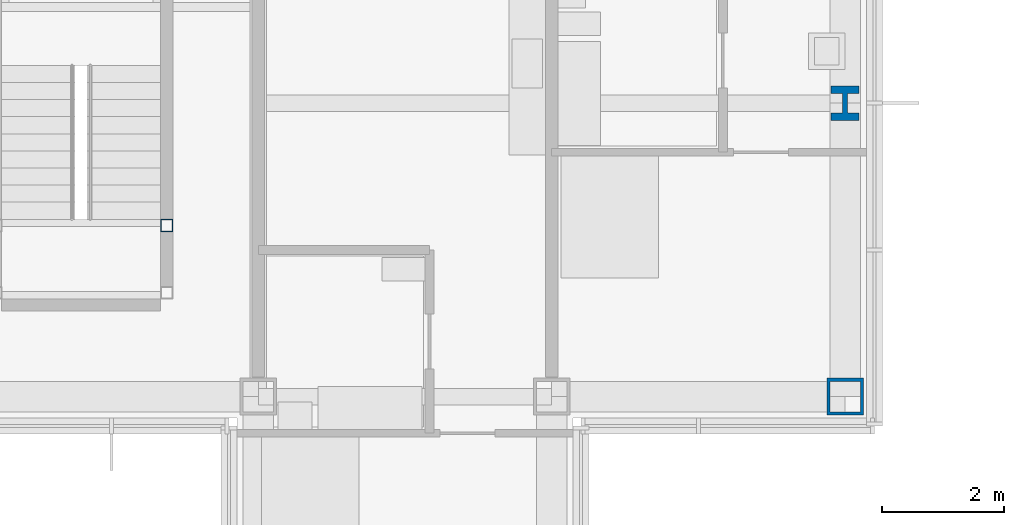
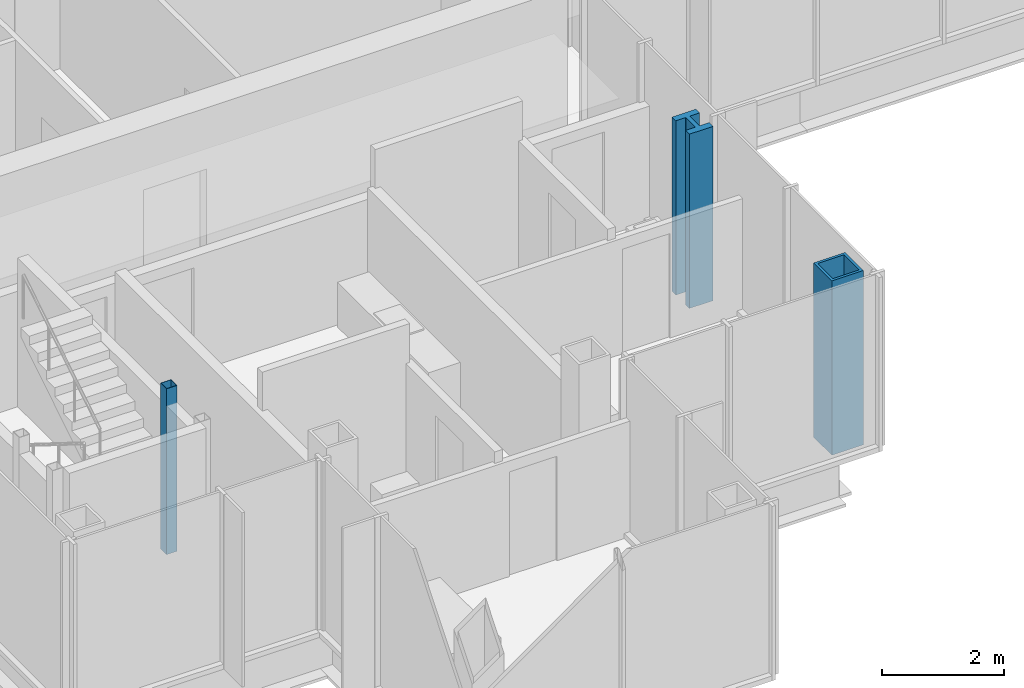
# One storey, part 2 of 15: 3 columns.
"""IFC4 building model written with IfcOpenShell, lengths in metres."""

from ifc_helpers import new_model, si_unit, direction, frame, origin, origin_2d, place, context, subcontext, project, spatial, hollow_rectangle, i_section, extrude, material, material_profile, profile_set, type_object, element, save


model = new_model("IFC4")

# Units and contexts
model_context = context("Model", 3, precision=1e-05, world=origin(), true_north=direction((0.0, 1.0)))
body_context = subcontext(model_context, "Body", "Model", "MODEL_VIEW")
ifc_project = project(units=[si_unit("LENGTHUNIT", "METRE"), si_unit("AREAUNIT", "SQUARE_METRE"), si_unit("VOLUMEUNIT", "CUBIC_METRE"), si_unit("PLANEANGLEUNIT", "RADIAN"), si_unit("MASSUNIT", "GRAM", prefix="KILO")], contexts=[model_context])

# Site, building, storey
site_placement = place(None, origin())
site = spatial("IfcSite", under=ifc_project, at=site_placement, CompositionType="ELEMENT")
building_placement = place(site_placement, origin())
building = spatial("IfcBuilding", under=site, at=building_placement, Name="Kvirike Care Tower", CompositionType="ELEMENT")
storey_placement = place(building_placement, frame((0.0, 0.0, 215.5)))
storey = spatial("IfcBuildingStorey", under=building, at=storey_placement, Name="L59", CompositionType="ELEMENT", Elevation=215.5)

# Columns
ifc_material_1 = material(Name="Steel S460", Category="steel")
ifc_material_profile_1 = material_profile(ifc_material_1, hollow_rectangle(XDim=0.60009765625, YDim=0.60009765625, WallThickness=0.050048828125, at=origin_2d()), Name="BX 600x600x50")
ifc_profile_set_1 = profile_set([ifc_material_profile_1], Name="Steel S460")
column_type_1 = type_object("IfcColumnType", Name="COLUMN BX 600x600x50", PredefinedType="COLUMN", material=ifc_profile_set_1)
column_1_placement = place(storey_placement, frame((28.800048828125, 19.199951171875, 0.0), z_axis=(0.0, 0.0, 1.0), x_axis=(0.0, 1.0, 0.0)))
element("IfcColumn", 1, at=column_1_placement, inside=storey, type_object=column_type_1, Name="Column E9 L59", PredefinedType="COLUMN", context=body_context, shape_type="SweptSolid", body=[
    extrude(hollow_rectangle(XDim=0.60009765625, YDim=0.60009765625, WallThickness=0.050048828125, at=origin_2d()), origin(), (0.0, 0.0, 1.0), 3.5),
])
ifc_material_2 = material(Name="Steel S460", Category="steel")
ifc_material_profile_2 = material_profile(ifc_material_2, i_section(OverallWidth=0.4541015625, OverallDepth=0.569091796875, WebThickness=0.077880859375, FlangeThickness=0.125, FilletRadius=0.014892578125, at=origin_2d()), Name="HD 400x1086")
ifc_profile_set_2 = profile_set([ifc_material_profile_2], Name="Steel S460")
column_type_2 = type_object("IfcColumnType", Name="COLUMN HD 400x1086", PredefinedType="COLUMN", material=ifc_profile_set_2)
column_2_placement = place(storey_placement, frame((28.800048828125, 24.0, 0.0), z_axis=(0.0, 0.0, 1.0), x_axis=(1.0, 0.0, 0.0)))
element("IfcColumn", 2, at=column_2_placement, inside=storey, type_object=column_type_2, Name="Column F9 L59", PredefinedType="COLUMN", context=body_context, shape_type="SweptSolid", body=[
    extrude(i_section(OverallWidth=0.4541015625, OverallDepth=0.569091796875, WebThickness=0.077880859375, FlangeThickness=0.125, FilletRadius=0.014892578125, at=origin_2d()), origin(), (0.0, 0.0, 1.0), 3.5),
])
ifc_material_3 = material(Name="Steel S460", Category="steel")
ifc_material_profile_3 = material_profile(ifc_material_3, hollow_rectangle(XDim=0.199951171875, YDim=0.199951171875, WallThickness=0.008056640625, at=origin_2d()), Name="SHS 200x200x8")
ifc_profile_set_3 = profile_set([ifc_material_profile_3], Name="Steel S460")
column_type_3 = type_object("IfcColumnType", Name="STAIR POST SHS 200x200x8", PredefinedType="COLUMN", material=ifc_profile_set_3)
column_3_placement = place(storey_placement, frame((17.699951171875, 22.0, 0.0), z_axis=(0.0, 0.0, 1.0), x_axis=(1.0, 0.0, 0.0)))
element("IfcColumn", 3, at=column_3_placement, inside=storey, type_object=column_type_3, Name="Stair 5 post 4 L59", PredefinedType="COLUMN", context=body_context, shape_type="SweptSolid", body=[
    extrude(hollow_rectangle(XDim=0.199951171875, YDim=0.199951171875, WallThickness=0.008056640625, at=origin_2d()), origin(), (0.0, 0.0, 1.0), 3.330078125),
])

save(model, "model.ifc")
